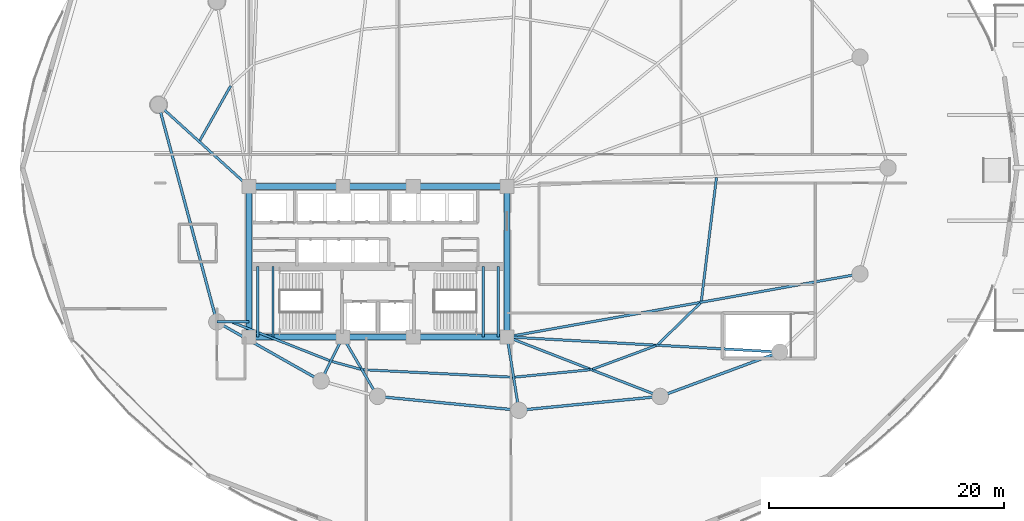
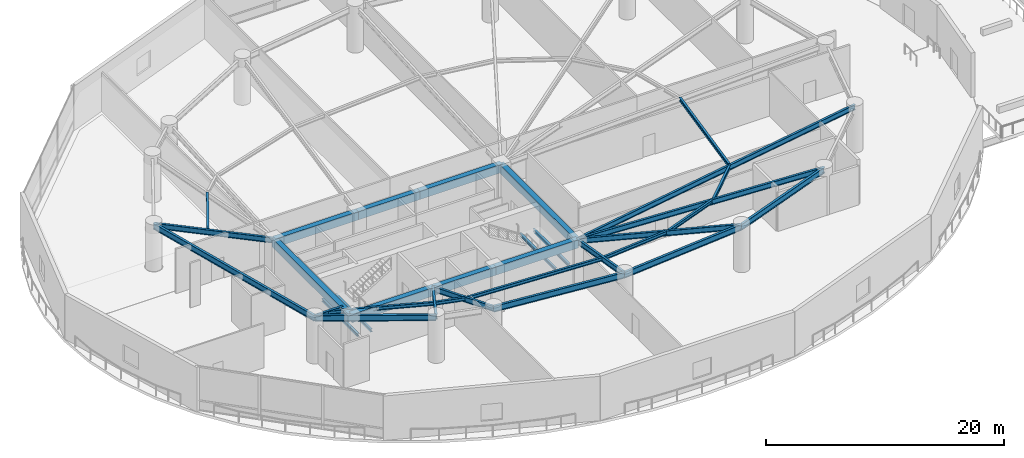
# One storey, part 5 of 26: 33 beams.
"""IFC4 building model written with IfcOpenShell, lengths in metres."""

from ifc_helpers import new_model, si_unit, direction, frame, origin, origin_2d, place, context, subcontext, project, spatial, rectangle, i_section, extrude, material, material_profile, profile_set, type_object, element, save


model = new_model("IFC4")

# Units and contexts
model_context = context("Model", 3, precision=1e-05, world=origin(), true_north=direction((0.0, 1.0)))
body_context = subcontext(model_context, "Body", "Model", "MODEL_VIEW")
ifc_project = project(units=[si_unit("LENGTHUNIT", "METRE"), si_unit("AREAUNIT", "SQUARE_METRE"), si_unit("VOLUMEUNIT", "CUBIC_METRE"), si_unit("PLANEANGLEUNIT", "RADIAN"), si_unit("MASSUNIT", "GRAM", prefix="KILO")], contexts=[model_context])

# Site, building, storey
site_placement = place(None, origin())
site = spatial("IfcSite", under=ifc_project, at=site_placement, CompositionType="ELEMENT")
building_placement = place(site_placement, origin())
building = spatial("IfcBuilding", under=site, at=building_placement, Name="Kazevale Care Tower and Concert Hall", CompositionType="ELEMENT")
storey_placement = place(building_placement, frame((0.0, 0.0, 19.199951171875)))
storey = spatial("IfcBuildingStorey", under=building, at=storey_placement, Name="L04", CompositionType="ELEMENT", Elevation=19.199951171875)

# Beams
ifc_material_1 = material(Name="Concrete C60", Category="concrete")
ifc_material_profile_1 = material_profile(ifc_material_1, rectangle(XDim=0.5, YDim=0.85009765625, at=origin_2d()), Name="RC-B500x850")
ifc_profile_set_1 = profile_set([ifc_material_profile_1], Name="Concrete C60")
beam_type_1 = type_object("IfcBeamType", Name="Core Coupling Beam RC500x850", PredefinedType="LINTEL", material=ifc_profile_set_1)
beam_1_placement = place(storey_placement, frame((22.0, 23.60009765625, 4.135009765625), z_axis=(1.0, 0.0, 0.0), x_axis=(0.0, 1.0, 0.0)))
element("IfcBeam", 1, at=beam_1_placement, inside=storey, type_object=beam_type_1, Name="beam:L04:coretie:1", PredefinedType="LINTEL", context=body_context, shape_type="SweptSolid", body=[
    extrude(rectangle(XDim=0.5, YDim=0.85009765625, at=origin_2d()), origin(), (0.0, 0.0, 1.0), 8.0),
])
beam_2_placement = place(storey_placement, frame((30.0, 23.60009765625, 4.135009765625), z_axis=(1.0, 0.0, 0.0), x_axis=(0.0, 1.0, 0.0)))
element("IfcBeam", 2, at=beam_2_placement, inside=storey, type_object=beam_type_1, Name="beam:L04:coretie:2", PredefinedType="LINTEL", context=body_context, shape_type="SweptSolid", body=[
    extrude(rectangle(XDim=0.5, YDim=0.85009765625, at=origin_2d()), origin(), (0.0, 0.0, 1.0), 6.0),
])
beam_3_placement = place(storey_placement, frame((36.0, 23.60009765625, 4.135009765625), z_axis=(1.0, 0.0, 0.0), x_axis=(0.0, 1.0, 0.0)))
element("IfcBeam", 3, at=beam_3_placement, inside=storey, type_object=beam_type_1, Name="beam:L04:coretie:3", PredefinedType="LINTEL", context=body_context, shape_type="SweptSolid", body=[
    extrude(rectangle(XDim=0.5, YDim=0.85009765625, at=origin_2d()), origin(), (0.0, 0.0, 1.0), 8.0),
])
beam_4_placement = place(storey_placement, frame((44.0, 23.60009765625, 4.135009765625), z_axis=(0.0, 1.0, 0.0), x_axis=(-1.0, 0.0, 0.0)))
element("IfcBeam", 4, at=beam_4_placement, inside=storey, type_object=beam_type_1, Name="beam:L04:coretie:4", PredefinedType="LINTEL", context=body_context, shape_type="SweptSolid", body=[
    extrude(rectangle(XDim=0.5, YDim=0.85009765625, at=origin_2d()), origin(), (0.0, 0.0, 1.0), 12.7998046875),
])
beam_5_placement = place(storey_placement, frame((44.0, 36.39990234375, 4.135009765625), z_axis=(-1.0, 0.0, 0.0), x_axis=(0.0, -1.0, 0.0)))
element("IfcBeam", 5, at=beam_5_placement, inside=storey, type_object=beam_type_1, Name="beam:L04:coretie:5", PredefinedType="LINTEL", context=body_context, shape_type="SweptSolid", body=[
    extrude(rectangle(XDim=0.5, YDim=0.85009765625, at=origin_2d()), origin(), (0.0, 0.0, 1.0), 8.0),
])
beam_6_placement = place(storey_placement, frame((36.0, 36.39990234375, 4.135009765625), z_axis=(-1.0, 0.0, 0.0), x_axis=(0.0, -1.0, 0.0)))
element("IfcBeam", 6, at=beam_6_placement, inside=storey, type_object=beam_type_1, Name="beam:L04:coretie:6", PredefinedType="LINTEL", context=body_context, shape_type="SweptSolid", body=[
    extrude(rectangle(XDim=0.5, YDim=0.85009765625, at=origin_2d()), origin(), (0.0, 0.0, 1.0), 6.0),
])
beam_7_placement = place(storey_placement, frame((30.0, 36.39990234375, 4.135009765625), z_axis=(-1.0, 0.0, 0.0), x_axis=(0.0, -1.0, 0.0)))
element("IfcBeam", 7, at=beam_7_placement, inside=storey, type_object=beam_type_1, Name="beam:L04:coretie:7", PredefinedType="LINTEL", context=body_context, shape_type="SweptSolid", body=[
    extrude(rectangle(XDim=0.5, YDim=0.85009765625, at=origin_2d()), origin(), (0.0, 0.0, 1.0), 8.0),
])
beam_8_placement = place(storey_placement, frame((22.0, 36.39990234375, 4.135009765625), z_axis=(0.0, -1.0, 0.0), x_axis=(1.0, 0.0, 0.0)))
element("IfcBeam", 8, at=beam_8_placement, inside=storey, type_object=beam_type_1, Name="beam:L04:coretie:8", PredefinedType="LINTEL", context=body_context, shape_type="SweptSolid", body=[
    extrude(rectangle(XDim=0.5, YDim=0.85009765625, at=origin_2d()), origin(), (0.0, 0.0, 1.0), 12.7998046875),
])
ifc_material_2 = material(Name="Steel ASTM A572 Gr 50", Category="steel")
ifc_material_profile_2 = material_profile(ifc_material_2, i_section(OverallWidth=0.2119140625, OverallDepth=0.5439453125, WebThickness=0.01318359375, FlangeThickness=0.021240234375, at=origin_2d()), Name="W530x123")
ifc_profile_set_2 = profile_set([ifc_material_profile_2], Name="Steel ASTM A572 Gr 50")
beam_type_2 = type_object("IfcBeamType", Name="Radial Floor Girder W530x123", PredefinedType="BEAM", material=ifc_profile_set_2)
beam_9_placement = place(storey_placement, frame((22.0, 36.39990234375, 4.2880859375), z_axis=(-0.740461073653, 0.672099247436, 0.0), x_axis=(-0.672099247436, -0.740461073653, 0.0)))
element("IfcBeam", 9, at=beam_9_placement, inside=storey, type_object=beam_type_2, Name="beam:L04:rad:09", PredefinedType="BEAM", context=body_context, shape_type="SweptSolid", body=[
    extrude(i_section(OverallWidth=0.2119140625, OverallDepth=0.5439453125, WebThickness=0.01318359375, FlangeThickness=0.021240234375, at=origin_2d()), origin(), (0.0, 0.0, 1.0), 10.38525390625),
])
beam_10_placement = place(storey_placement, frame((22.0, 24.8798828125, 4.2880859375), z_axis=(-1.0, 0.0, 0.0), x_axis=(0.0, -1.0, 0.0)))
element("IfcBeam", 10, at=beam_10_placement, inside=storey, type_object=beam_type_2, Name="beam:L04:rad:10", PredefinedType="BEAM", context=body_context, shape_type="SweptSolid", body=[
    extrude(i_section(OverallWidth=0.2119140625, OverallDepth=0.5439453125, WebThickness=0.01318359375, FlangeThickness=0.021240234375, at=origin_2d()), origin(), (0.0, 0.0, 1.0), 2.72998046875),
])
beam_11_placement = place(storey_placement, frame((30.0, 23.60009765625, 4.2880859375), z_axis=(-0.442443019162, -0.896796618412, 0.0), x_axis=(0.896796618412, -0.442443019162, 0.0)))
element("IfcBeam", 11, at=beam_11_placement, inside=storey, type_object=beam_type_2, Name="beam:L04:rad:11", PredefinedType="BEAM", context=body_context, shape_type="SweptSolid", body=[
    extrude(i_section(OverallWidth=0.2119140625, OverallDepth=0.5439453125, WebThickness=0.01318359375, FlangeThickness=0.021240234375, at=origin_2d()), origin(), (0.0, 0.0, 1.0), 4.181640625),
])
beam_12_placement = place(storey_placement, frame((30.0, 23.60009765625, 4.2880859375), z_axis=(0.50417868077, -0.86359936189, 0.0), x_axis=(0.86359936189, 0.50417868077, 0.0)))
element("IfcBeam", 12, at=beam_12_placement, inside=storey, type_object=beam_type_2, Name="beam:L04:rad:12", PredefinedType="BEAM", context=body_context, shape_type="SweptSolid", body=[
    extrude(i_section(OverallWidth=0.2119140625, OverallDepth=0.5439453125, WebThickness=0.01318359375, FlangeThickness=0.021240234375, at=origin_2d()), origin(), (0.0, 0.0, 1.0), 5.870849609375),
])
beam_13_placement = place(storey_placement, frame((44.0, 23.60009765625, 4.2880859375), z_axis=(0.157990501107, -0.987440631917, 0.0), x_axis=(0.987440631917, 0.157990501107, 0.0)))
element("IfcBeam", 13, at=beam_13_placement, inside=storey, type_object=beam_type_2, Name="beam:L04:rad:13", PredefinedType="BEAM", context=body_context, shape_type="SweptSolid", body=[
    extrude(i_section(OverallWidth=0.2119140625, OverallDepth=0.5439453125, WebThickness=0.01318359375, FlangeThickness=0.021240234375, at=origin_2d()), origin(), (0.0, 0.0, 1.0), 6.32958984375),
])
beam_14_placement = place(storey_placement, frame((44.0, 23.60009765625, 4.2880859375), z_axis=(0.932030212407, -0.362380577792, 0.0), x_axis=(0.362380577792, 0.932030212407, 0.0)))
element("IfcBeam", 14, at=beam_14_placement, inside=storey, type_object=beam_type_2, Name="beam:L04:rad:14", PredefinedType="BEAM", context=body_context, shape_type="SweptSolid", body=[
    extrude(i_section(OverallWidth=0.2119140625, OverallDepth=0.5439453125, WebThickness=0.01318359375, FlangeThickness=0.021240234375, at=origin_2d()), origin(), (0.0, 0.0, 1.0), 13.990966796875),
])
beam_15_placement = place(storey_placement, frame((44.0, 23.60009765625, 4.2880859375), z_axis=(0.998462901796, -0.055424125948, 0.0), x_axis=(0.055424125948, 0.998462901796, 0.0)))
element("IfcBeam", 15, at=beam_15_placement, inside=storey, type_object=beam_type_2, Name="beam:L04:rad:15", PredefinedType="BEAM", context=body_context, shape_type="SweptSolid", body=[
    extrude(i_section(OverallWidth=0.2119140625, OverallDepth=0.5439453125, WebThickness=0.01318359375, FlangeThickness=0.021240234375, at=origin_2d()), origin(), (0.0, 0.0, 1.0), 23.27587890625),
])
beam_16_placement = place(storey_placement, frame((44.0, 23.60009765625, 4.2880859375), z_axis=(0.984416208219, 0.175854283415, 0.0), x_axis=(-0.175854283415, 0.984416208219, 0.0)))
element("IfcBeam", 16, at=beam_16_placement, inside=storey, type_object=beam_type_2, Name="beam:L04:rad:16", PredefinedType="BEAM", context=body_context, shape_type="SweptSolid", body=[
    extrude(i_section(OverallWidth=0.2119140625, OverallDepth=0.5439453125, WebThickness=0.01318359375, FlangeThickness=0.021240234375, at=origin_2d()), origin(), (0.0, 0.0, 1.0), 30.535888671875),
])
ifc_material_profile_3 = material_profile(ifc_material_2, i_section(OverallWidth=0.22900390625, OverallDepth=0.612060546875, WebThickness=0.011962890625, FlangeThickness=0.01953125, at=origin_2d()), Name="W610x125")
ifc_profile_set_3 = profile_set([ifc_material_profile_3], Name="Steel ASTM A572 Gr 50")
beam_type_3 = type_object("IfcBeamType", Name="Ring Spandrel Beam W610x125", PredefinedType="SPANDREL", material=ifc_profile_set_3)
beam_17_placement = place(storey_placement, frame((14.31005859375, 43.3798828125, 4.254150390625), z_axis=(0.258960352031, -0.965887952133, 0.0), x_axis=(0.965887952133, 0.258960352031, 0.0)))
element("IfcBeam", 17, at=beam_17_placement, inside=storey, type_object=beam_type_3, Name="beam:L04:ring:09", PredefinedType="SPANDREL", context=body_context, shape_type="SweptSolid", body=[
    extrude(i_section(OverallWidth=0.22900390625, OverallDepth=0.612060546875, WebThickness=0.011962890625, FlangeThickness=0.01953125, at=origin_2d()), origin(), (0.0, 0.0, 1.0), 19.1533203125),
])
beam_18_placement = place(storey_placement, frame((19.27001953125, 24.8798828125, 4.254150390625), z_axis=(0.870112469479, -0.492853213906, 0.0), x_axis=(0.492853213906, 0.870112469479, 0.0)))
element("IfcBeam", 18, at=beam_18_placement, inside=storey, type_object=beam_type_3, Name="beam:L04:ring:10", PredefinedType="SPANDREL", context=body_context, shape_type="SweptSolid", body=[
    extrude(i_section(OverallWidth=0.22900390625, OverallDepth=0.612060546875, WebThickness=0.011962890625, FlangeThickness=0.01953125, at=origin_2d()), origin(), (0.0, 0.0, 1.0), 10.205322265625),
])
for number, where, z_axis, x_axis, name in (
    (19, (32.9599609375, 18.530029296875, 4.254150390625), (0.995232251602, -0.09753340644, 0.0), (0.09753340644, 0.995232251602, 0.0), "beam:L04:ring:12"),
    (20, (45.0, 17.35009765625, 4.254150390625), (0.995232251602, 0.09753340644, 0.0), (-0.09753340644, 0.995232251602, 0.0), "beam:L04:ring:13"),
):
    element("IfcBeam", number, at=place(storey_placement, frame(where, z_axis=z_axis, x_axis=x_axis)), inside=storey, type_object=beam_type_3, Name=name, PredefinedType="SPANDREL", context=body_context, shape_type="SweptSolid", body=[
        extrude(i_section(OverallWidth=0.22900390625, OverallDepth=0.612060546875, WebThickness=0.011962890625, FlangeThickness=0.01953125, at=origin_2d()), origin(), (0.0, 0.0, 1.0), 12.09765625),
    ])
beam_19_placement = place(storey_placement, frame((57.0400390625, 18.530029296875, 4.254150390625), z_axis=(0.937680788596, 0.347497825458, 0.0), x_axis=(-0.347497825458, 0.937680788596, 0.0)))
element("IfcBeam", 21, at=beam_19_placement, inside=storey, type_object=beam_type_3, Name="beam:L04:ring:14", PredefinedType="SPANDREL", context=body_context, shape_type="SweptSolid", body=[
    extrude(i_section(OverallWidth=0.22900390625, OverallDepth=0.612060546875, WebThickness=0.011962890625, FlangeThickness=0.01953125, at=origin_2d()), origin(), (0.0, 0.0, 1.0), 10.8779296875),
])
ifc_material_profile_4 = material_profile(ifc_material_2, i_section(OverallWidth=0.205078125, OverallDepth=0.35400390625, WebThickness=0.009521484375, FlangeThickness=0.016845703125, at=origin_2d()), Name="W360x79")
ifc_profile_set_4 = profile_set([ifc_material_profile_4], Name="Steel ASTM A572 Gr 50")
beam_type_4 = type_object("IfcBeamType", Name="Secondary Floor Joist W360x79", PredefinedType="JOIST", material=ifc_profile_set_4)
beam_20_placement = place(storey_placement, frame((20.447021484375, 44.988037109375, 4.383056640625), z_axis=(-0.490956987312, -0.871183813331, 0.0), x_axis=(0.871183813331, -0.490956987312, 0.0)))
element("IfcBeam", 22, at=beam_20_placement, inside=storey, type_object=beam_type_4, Name="beam:L04:joist:08", PredefinedType="JOIST", context=body_context, shape_type="SweptSolid", body=[
    extrude(i_section(OverallWidth=0.205078125, OverallDepth=0.35400390625, WebThickness=0.009521484375, FlangeThickness=0.016845703125, at=origin_2d()), origin(), (0.0, 0.0, 1.0), 5.3466796875),
])
beam_21_placement = place(storey_placement, frame((20.595947265625, 24.842041015625, 4.383056640625), z_axis=(0.930380638802, -0.366594963062, 0.0), x_axis=(0.366594963062, 0.930380638802, 0.0)))
element("IfcBeam", 23, at=beam_21_placement, inside=storey, type_object=beam_type_4, Name="beam:L04:joist:10", PredefinedType="JOIST", context=body_context, shape_type="SweptSolid", body=[
    extrude(i_section(OverallWidth=0.205078125, OverallDepth=0.35400390625, WebThickness=0.009521484375, FlangeThickness=0.016845703125, at=origin_2d()), origin(), (0.0, 0.0, 1.0), 8.909423828125),
])
beam_22_placement = place(storey_placement, frame((29.083984375, 21.510009765625, 4.383056640625), z_axis=(0.964302027389, -0.264804833743, 0.0), x_axis=(0.264804833743, 0.964302027389, 0.0)))
element("IfcBeam", 24, at=beam_22_placement, inside=storey, type_object=beam_type_4, Name="beam:L04:joist:11", PredefinedType="JOIST", context=body_context, shape_type="SweptSolid", body=[
    extrude(i_section(OverallWidth=0.205078125, OverallDepth=0.35400390625, WebThickness=0.009521484375, FlangeThickness=0.016845703125, at=origin_2d()), origin(), (0.0, 0.0, 1.0), 2.533447265625),
])
beam_23_placement = place(storey_placement, frame((31.73291015625, 20.805908203125, 4.383056640625), z_axis=(0.998743186005, -0.050120339262, 0.0), x_axis=(0.050120339262, 0.998743186005, 0.0)))
element("IfcBeam", 25, at=beam_23_placement, inside=storey, type_object=beam_type_4, Name="beam:L04:joist:12", PredefinedType="JOIST", context=body_context, shape_type="SweptSolid", body=[
    extrude(i_section(OverallWidth=0.205078125, OverallDepth=0.35400390625, WebThickness=0.009521484375, FlangeThickness=0.016845703125, at=origin_2d()), origin(), (0.0, 0.0, 1.0), 12.728271484375),
])
beam_24_placement = place(storey_placement, frame((44.654052734375, 20.173095703125, 4.383056640625), z_axis=(0.995242075791, 0.097433108212, 0.0), x_axis=(-0.097433108212, 0.995242075791, 0.0)))
element("IfcBeam", 26, at=beam_24_placement, inside=storey, type_object=beam_type_4, Name="beam:L04:joist:13", PredefinedType="JOIST", context=body_context, shape_type="SweptSolid", body=[
    extrude(i_section(OverallWidth=0.205078125, OverallDepth=0.35400390625, WebThickness=0.009521484375, FlangeThickness=0.016845703125, at=origin_2d()), origin(), (0.0, 0.0, 1.0), 6.44482421875),
])
beam_25_placement = place(storey_placement, frame((51.27001953125, 20.847900390625, 4.383056640625), z_axis=(0.937698254396, 0.347450692477, 0.0), x_axis=(-0.347450692477, 0.937698254396, 0.0)))
element("IfcBeam", 27, at=beam_25_placement, inside=storey, type_object=beam_type_4, Name="beam:L04:joist:14", PredefinedType="JOIST", context=body_context, shape_type="SweptSolid", body=[
    extrude(i_section(OverallWidth=0.205078125, OverallDepth=0.35400390625, WebThickness=0.009521484375, FlangeThickness=0.016845703125, at=origin_2d()), origin(), (0.0, 0.0, 1.0), 5.773681640625),
])
beam_26_placement = place(storey_placement, frame((56.85693359375, 22.964111328125, 4.383056640625), z_axis=(0.715521089339, 0.698591132717, 0.0), x_axis=(-0.698591132717, 0.715521089339, 0.0)))
element("IfcBeam", 28, at=beam_26_placement, inside=storey, type_object=beam_type_4, Name="beam:L04:joist:15", PredefinedType="JOIST", context=body_context, shape_type="SweptSolid", body=[
    extrude(i_section(OverallWidth=0.205078125, OverallDepth=0.35400390625, WebThickness=0.009521484375, FlangeThickness=0.016845703125, at=origin_2d()), origin(), (0.0, 0.0, 1.0), 5.03271484375),
])
beam_27_placement = place(storey_placement, frame((60.5458984375, 26.657958984375, 4.383056640625), z_axis=(0.1216468088, 0.992573450133, 0.0), x_axis=(-0.992573450133, 0.1216468088, 0.0)))
element("IfcBeam", 29, at=beam_27_placement, inside=storey, type_object=beam_type_4, Name="beam:L04:joist:16", PredefinedType="JOIST", context=body_context, shape_type="SweptSolid", body=[
    extrude(i_section(OverallWidth=0.205078125, OverallDepth=0.35400390625, WebThickness=0.009521484375, FlangeThickness=0.016845703125, at=origin_2d()), origin(), (0.0, 0.0, 1.0), 10.5966796875),
])
ifc_material_profile_5 = material_profile(ifc_material_2, i_section(OverallWidth=0.202880859375, OverallDepth=0.302978515625, WebThickness=0.007568359375, FlangeThickness=0.01318359375, at=origin_2d()), Name="W310x60")
ifc_profile_set_5 = profile_set([ifc_material_profile_5], Name="Steel ASTM A572 Gr 50")
beam_type_5 = type_object("IfcBeamType", Name="Stair & Balcony Trimmer W310x60", PredefinedType="BEAM", material=ifc_profile_set_5)
for number, where, z_axis, x_axis, name in (
    (30, (22.75, 23.60009765625, 2.048583984375), (0.0, 1.0, 0.0), (-1.0, 0.0, 0.0), "beam:L04:sttrim:ST1"),
    (31, (24.050048828125, 23.60009765625, 2.048583984375), (0.0, 1.0, 0.0), (-1.0, 0.0, 0.0), "beam:L04:sttrim:ST1b"),
    (32, (41.949951171875, 23.60009765625, 2.048583984375), (0.0, 1.0, 0.0), (-1.0, 0.0, 0.0), "beam:L04:sttrim:ST2"),
    (33, (43.25, 23.60009765625, 2.048583984375), (0.0, 1.0, 0.0), (-1.0, 0.0, 0.0), "beam:L04:sttrim:ST2b"),
):
    element("IfcBeam", number, at=place(storey_placement, frame(where, z_axis=z_axis, x_axis=x_axis)), inside=storey, type_object=beam_type_5, Name=name, PredefinedType="BEAM", context=body_context, shape_type="SweptSolid", body=[
        extrude(i_section(OverallWidth=0.202880859375, OverallDepth=0.302978515625, WebThickness=0.007568359375, FlangeThickness=0.01318359375, at=origin_2d()), origin(), (0.0, 0.0, 1.0), 6.0),
    ])

save(model, "model.ifc")
